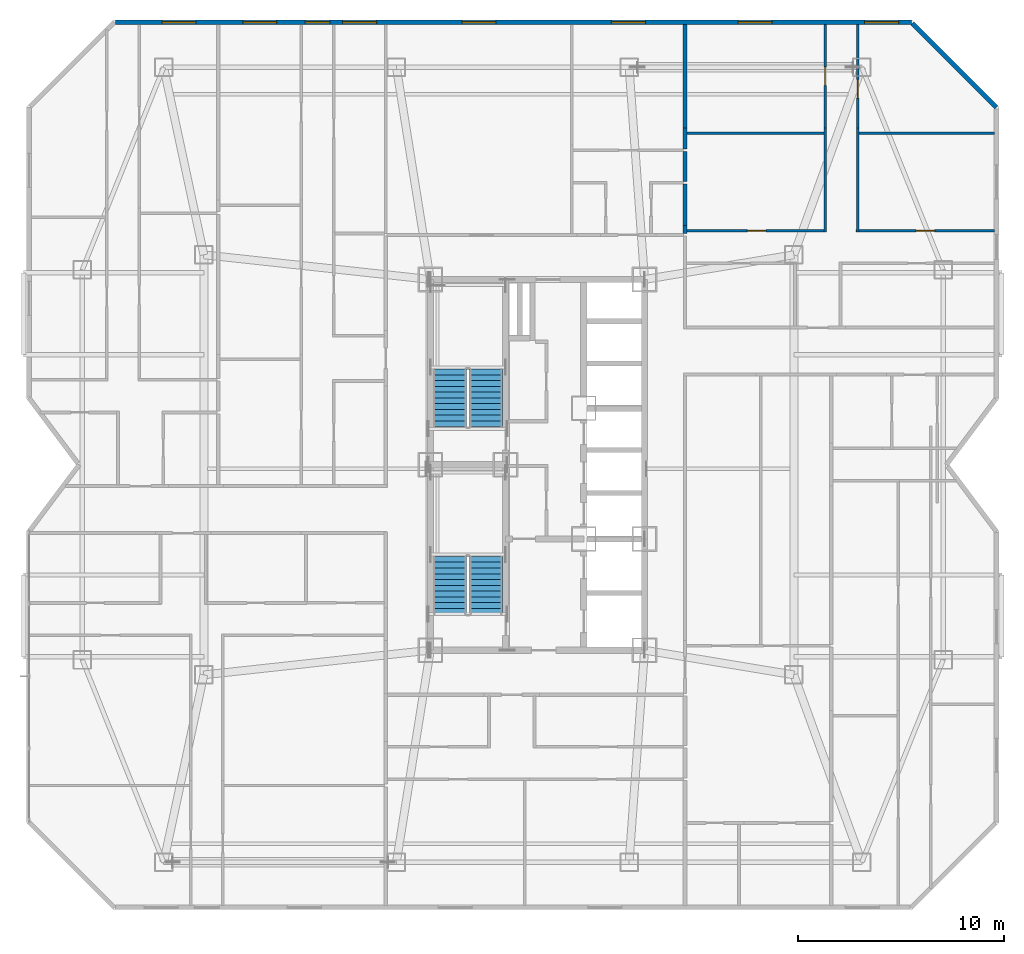
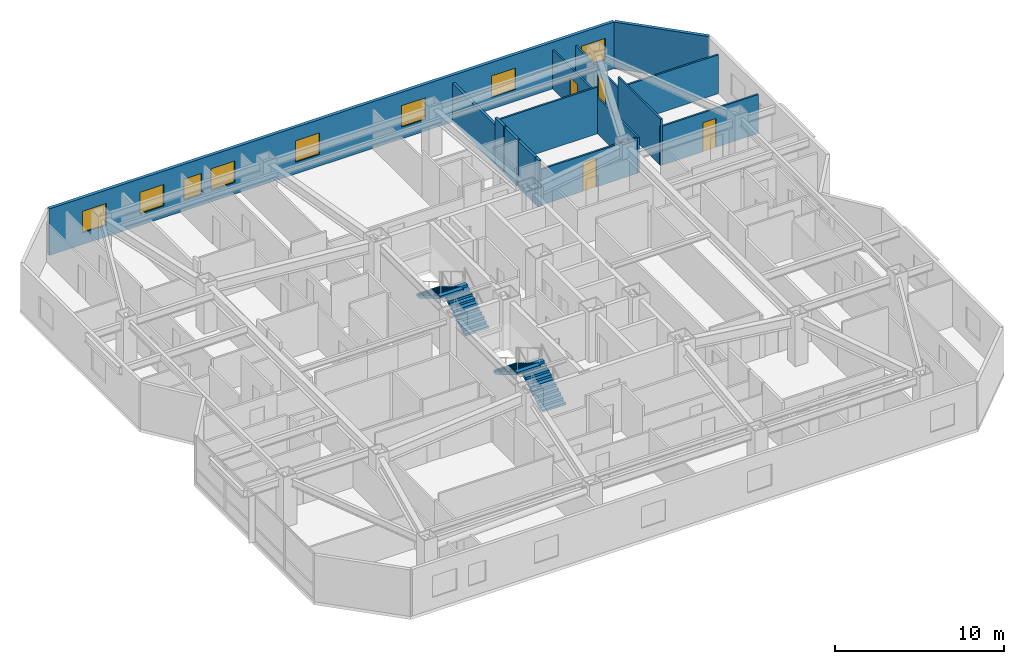
# One storey, part 16 of 17: 15 walls, 8 windows, 4 doors, 4 stair flights, 12 openings, 2 elements without a shape of their own.
"""IFC4 building model written with IfcOpenShell, lengths in metres."""

import ifcopenshell
import ifcopenshell.guid

model = None  # the IFC model being written
_history = None  # IfcOwnerHistory: only IFC2X3 demands one
_inside = {}  # id of a spatial element -> (the spatial element, [elements in it])
_under = {}  # id of a project, library or spatial element -> (it, [spatial elements below it])
_declared = {}  # id of a project -> (the project, [libraries it declares])
_typed = {}  # id of a type object -> (the type object, [elements of that type])
_made_of = {}  # id of a material, layer set ... -> (it, [elements and type objects made of it])


def new_model(schema):
    """Start an empty IFC model of exactly this schema.

    Asked for "IFC4X3", IfcOpenShell would pick the latest addendum, in which some entities
    have other attributes; the version numbers below select the first issue.
    IFC2X3 requires an IfcOwnerHistory on every rooted entity: one is made here for all.
    """
    global model, _history
    if schema == "IFC4X3":
        model = ifcopenshell.file(schema_version=(4, 3, 0, 0))
    else:
        model = ifcopenshell.file(schema=schema)
    _inside.clear()
    _under.clear()
    _declared.clear()
    _typed.clear()
    _made_of.clear()
    _history = None
    if model.schema == "IFC2X3":
        org = make("IfcOrganization", Name="unknown")
        user = make(
            "IfcPersonAndOrganization",
            ThePerson=make("IfcPerson", FamilyName="unknown"),
            TheOrganization=org,
        )
        app = make(
            "IfcApplication",
            ApplicationDeveloper=org,
            Version="unknown",
            ApplicationFullName="unknown",
            ApplicationIdentifier="unknown",
        )
        _history = make(
            "IfcOwnerHistory",
            OwningUser=user,
            OwningApplication=app,
            ChangeAction="ADDED",
            CreationDate=0,
        )
    return model


def make(cls, **values):
    """One entity of the class cls with the attributes given. An attribute that is None is left unset."""
    return model.create_entity(
        cls, **{name: value for name, value in values.items() if value is not None}
    )


def rooted(cls, **values):
    """An entity with a GlobalId (a new one), such as an element, a storey or a relation."""
    return make(cls, GlobalId=ifcopenshell.guid.new(), OwnerHistory=_history, **values)


def si_unit(unit_type, name, prefix=None):
    """IfcSIUnit, for example si_unit("LENGTHUNIT", "METRE", prefix="MILLI")."""
    return make("IfcSIUnit", UnitType=unit_type, Prefix=prefix, Name=name)


def assignment(units):
    """IfcUnitAssignment: the units of a project."""
    return None if units is None else make("IfcUnitAssignment", Units=units)


def point(xyz):
    """IfcCartesianPoint."""
    return None if xyz is None else make("IfcCartesianPoint", Coordinates=xyz)


def direction(xyz):
    """IfcDirection."""
    return None if xyz is None else make("IfcDirection", DirectionRatios=xyz)


def frame(location, z_axis=None, x_axis=None):
    """IfcAxis2Placement3D, a coordinate frame: its origin and axes. An axis left out is left unset."""
    return make(
        "IfcAxis2Placement3D",
        Location=point(location),
        Axis=direction(z_axis),
        RefDirection=direction(x_axis),
    )


def frame_2d(location, x_axis=None):
    """IfcAxis2Placement2D, a coordinate frame in the plane: its origin and x axis."""
    return make(
        "IfcAxis2Placement2D", Location=point(location), RefDirection=direction(x_axis)
    )


def origin():
    """The frame at (0, 0, 0) with its axes left unset."""
    return frame((0.0, 0.0, 0.0))


def place(relative_to, where):
    """IfcLocalPlacement: puts the frame where relative to a parent placement (None: the world)."""
    return make(
        "IfcLocalPlacement", PlacementRelTo=relative_to, RelativePlacement=where
    )


def context(
    kind, dimensions, precision=None, world=None, true_north=None, identifier=None
):
    """IfcGeometricRepresentationContext, for example the 3D "Model" context."""
    return make(
        "IfcGeometricRepresentationContext",
        ContextIdentifier=identifier,
        ContextType=kind,
        CoordinateSpaceDimension=dimensions,
        Precision=precision,
        WorldCoordinateSystem=world,
        TrueNorth=true_north,
    )


def subcontext(parent, identifier, kind, view, scale=None):
    """IfcGeometricRepresentationSubContext, for example "Body" below "Model"."""
    return make(
        "IfcGeometricRepresentationSubContext",
        ContextIdentifier=identifier,
        ContextType=kind,
        ParentContext=parent,
        TargetScale=scale,
        TargetView=view,
    )


def project(units=None, contexts=None):
    """IfcProject with its units and contexts."""
    return rooted(
        "IfcProject",
        Name="project",
        RepresentationContexts=contexts,
        UnitsInContext=assignment(units),
    )


def spatial(cls, under=None, at=None, **own):
    """A site, building, storey or space (cls), placed at a placement, below another one or the project."""
    s = rooted(cls, ObjectPlacement=at, **own)
    if under is not None:
        _under.setdefault(under.id(), (under, []))[1].append(s)
    return s


def polyline(points):
    """IfcPolyline through the points."""
    return make("IfcPolyline", Points=[point(p) for p in points])


def profile(cls, at=None, kind="AREA", **sizes):
    """A parametric profile (cls). Its sizes go by their IFC names, for example OverallWidth=200.0."""
    return make(cls, ProfileType=kind, Position=at, **sizes)


def rectangle(**sizes):
    """IfcRectangleProfileDef."""
    return profile("IfcRectangleProfileDef", **sizes)


def outline(outer, holes=None, kind="AREA"):
    """IfcArbitraryClosedProfileDef: a profile drawn as a closed curve; with holes, ...WithVoids."""
    if holes is None:
        return make("IfcArbitraryClosedProfileDef", ProfileType=kind, OuterCurve=outer)
    return make(
        "IfcArbitraryProfileDefWithVoids",
        ProfileType=kind,
        OuterCurve=outer,
        InnerCurves=holes,
    )


def extrude(swept, where, along, depth):
    """IfcExtrudedAreaSolid: the profile swept, set in the frame where, extruded along a direction by depth."""
    return make(
        "IfcExtrudedAreaSolid",
        SweptArea=swept,
        Position=where,
        ExtrudedDirection=direction(along),
        Depth=depth,
    )


def shape(context_of_items, identifier, shape_type, items):
    """IfcShapeRepresentation: the items that make up one representation, for example the "Body"."""
    return make(
        "IfcShapeRepresentation",
        ContextOfItems=context_of_items,
        RepresentationIdentifier=identifier,
        RepresentationType=shape_type,
        Items=items,
    )


def material(Name=None, Category=None):
    """IfcMaterial."""
    return make("IfcMaterial", Name=Name, Category=Category)


def layer(
    of_material, thickness, ventilated=None, Name=None, Category=None, Priority=None
):
    """IfcMaterialLayer: one layer of a wall or slab, of a material (None: an air gap)."""
    return make(
        "IfcMaterialLayer",
        Material=of_material,
        LayerThickness=thickness,
        IsVentilated=ventilated,
        Name=Name,
        Category=Category,
        Priority=Priority,
    )


def layer_set(layers, Name=None):
    """IfcMaterialLayerSet."""
    return make("IfcMaterialLayerSet", MaterialLayers=layers, LayerSetName=Name)


def made_of(thing, what):
    """Note that an element or type object is made of a material, layer set ...; save() writes the relation."""
    if what is not None:
        _made_of.setdefault(what.id(), (what, []))[1].append(thing)
    return thing


def type_object(cls, material=None, **own):
    """A type object (cls), such as IfcWallType, which elements share."""
    return made_of(rooted(cls, **own), material)


def element(
    cls,
    number,
    at=None,
    inside=None,
    cuts=None,
    type_object=None,
    material=None,
    context=None,
    identifier="Body",
    shape_type=None,
    held_by="IfcProductDefinitionShape",
    body=None,
    shapes=None,
    **own,
):
    """One element of the class cls, such as IfcWall. Its Tag is "e" and its number.

    at: its placement. inside: the storey or other place that contains it. cuts: it is an
    opening in that element (IfcRelVoidsElement). A single representation is given by context,
    identifier, shape_type and body (its items); several are given by shapes. held_by: the class
    of the entity that holds the representations. save() writes the other relations.
    """
    e = rooted(cls, Tag="e%d" % number, ObjectPlacement=at, **own)
    if body is not None:
        shapes = [shape(context, identifier, shape_type, body)]
    if shapes is not None:
        e.Representation = make(held_by, Representations=shapes)
    if inside is not None:
        _inside.setdefault(inside.id(), (inside, []))[1].append(e)
    if cuts is not None:
        rooted(
            "IfcRelVoidsElement", RelatingBuildingElement=cuts, RelatedOpeningElement=e
        )
    if type_object is not None:
        _typed.setdefault(type_object.id(), (type_object, []))[1].append(e)
    return made_of(e, material)


def fill(opening, filler):
    """IfcRelFillsElement: the door or window that sits in an opening."""
    return rooted(
        "IfcRelFillsElement",
        RelatingOpeningElement=opening,
        RelatedBuildingElement=filler,
    )


def aggregate(whole, parts):
    """IfcRelAggregates: a whole, such as a stair, and the parts it consists of."""
    return rooted("IfcRelAggregates", RelatingObject=whole, RelatedObjects=parts)


def save(model, path):
    """Write the relations noted so far, then the file.

    IfcRelAggregates (storeys below a building ...), IfcRelContainedInSpatialStructure (elements
    in a storey), IfcRelDefinesByType, IfcRelAssociatesMaterial and IfcRelDeclares: one each for
    every whole, place, type object, material and project.
    """
    for whole, parts in _under.values():
        aggregate(whole, parts)
    for where, things in _inside.values():
        rooted(
            "IfcRelContainedInSpatialStructure",
            RelatedElements=things,
            RelatingStructure=where,
        )
    for kind, things in _typed.values():
        rooted("IfcRelDefinesByType", RelatedObjects=things, RelatingType=kind)
    for what, things in _made_of.values():
        rooted("IfcRelAssociatesMaterial", RelatedObjects=things, RelatingMaterial=what)
    for by, libraries in _declared.values():
        rooted("IfcRelDeclares", RelatingContext=by, RelatedDefinitions=libraries)
    model.write(path)


model = new_model("IFC4")

# Units and contexts
model_context = context("Model", 3, precision=1e-05, world=origin(), true_north=direction((0.0, 1.0)))
body_context = subcontext(model_context, "Body", "Model", "MODEL_VIEW")
ifc_project = project(units=[si_unit("LENGTHUNIT", "METRE"), si_unit("AREAUNIT", "SQUARE_METRE"), si_unit("VOLUMEUNIT", "CUBIC_METRE"), si_unit("PLANEANGLEUNIT", "RADIAN"), si_unit("MASSUNIT", "GRAM", prefix="KILO")], contexts=[model_context])

# Site, building, storey
site_placement = place(None, origin())
site = spatial("IfcSite", under=ifc_project, at=site_placement, CompositionType="ELEMENT")
building_placement = place(site_placement, origin())
building = spatial("IfcBuilding", under=site, at=building_placement, Name="Khamvora Tower", CompositionType="ELEMENT")
storey_placement = place(building_placement, frame((0.0, 0.0, 142.050048828125)))
storey = spatial("IfcBuildingStorey", under=building, at=storey_placement, Name="L36", CompositionType="ELEMENT", Elevation=142.050048828125)

# Walls
ifc_material_1 = material(Name="Acoustic Double-Stud Fire Wall", Category="gypsum")
ifc_layer_1 = layer(ifc_material_1, 0.179931640625)
ifc_layer_set_1 = layer_set([ifc_layer_1], Name="Acoustic Double-Stud Fire Wall")
wall_type_1 = type_object("IfcWallType", Name="WAL-CORR-180", PredefinedType="STANDARD", material=ifc_layer_set_1)
wall_1_placement = place(storey_placement, frame((41.364990234375, 43.2099609375, 0.0), z_axis=(0.0, 0.0, 1.0), x_axis=(0.0, -1.0, 0.0)))
element("IfcWall", 1, at=wall_1_placement, inside=storey, type_object=wall_type_1, Name="L36 interior partition wall 106", PredefinedType="STANDARD", context=body_context, shape_type="SweptSolid", body=[
    extrude(rectangle(XDim=1.449951171875, YDim=0.179931640625, at=frame_2d((0.72509765625, 0.0))), origin(), (0.0, 0.0, 1.0), 3.369873046875),
])
wall_2_placement = place(storey_placement, frame((41.364990234375, 39.62109375, 0.0), z_axis=(0.0, 0.0, 1.0), x_axis=(0.0, -1.0, 0.0)))
element("IfcWall", 2, at=wall_2_placement, inside=storey, type_object=wall_type_1, Name="L36 interior partition wall 107", PredefinedType="STANDARD", context=body_context, shape_type="SweptSolid", body=[
    extrude(rectangle(XDim=0.39111328125, YDim=0.179931640625, at=frame_2d((0.195556640625, 0.0))), origin(), (0.0, 0.0, 1.0), 3.369873046875),
])
wall_3_placement = place(storey_placement, frame((41.364990234375, 41.6298828125, 0.0), z_axis=(0.0, 0.0, 1.0), x_axis=(0.0, -1.0, 0.0)))
element("IfcWall", 3, at=wall_3_placement, inside=storey, type_object=wall_type_1, Name="L36 interior partition wall 108", PredefinedType="STANDARD", context=body_context, shape_type="SweptSolid", body=[
    extrude(rectangle(XDim=2.0087890625, YDim=0.179931640625, at=frame_2d((1.00439453125, 0.0))), origin(), (0.0, 0.0, 1.0), 3.369873046875),
])
wall_4_placement = place(storey_placement, frame((41.364990234375, 44.35595703125, 0.0), z_axis=(0.0, 0.0, 1.0), x_axis=(0.0, -1.0, 0.0)))
element("IfcWall", 4, at=wall_4_placement, inside=storey, type_object=wall_type_1, Name="L36 interior partition wall 109", PredefinedType="STANDARD", context=body_context, shape_type="SweptSolid", body=[
    extrude(rectangle(XDim=1.015869140625, YDim=0.179931640625, at=frame_2d((0.5078125, 0.0))), origin(), (0.0, 0.0, 1.0), 3.369873046875),
])
wall_5_placement = place(storey_placement, frame((41.364990234375, 49.387939453125, 0.0), z_axis=(0.0, 0.0, 1.0), x_axis=(0.0, -1.0, 0.0)))
element("IfcWall", 5, at=wall_5_placement, inside=storey, type_object=wall_type_1, Name="L36 interior partition wall 110", PredefinedType="STANDARD", context=body_context, shape_type="SweptSolid", body=[
    extrude(rectangle(XDim=5.031982421875, YDim=0.179931640625, at=frame_2d((2.51611328125, 0.0))), origin(), (0.0, 0.0, 1.0), 2.81591796875),
])

# Wall, openings, windows
ifc_material_2 = material(Name="Precast concrete C40/50", Category="concrete")
ifc_layer_2 = layer(ifc_material_2, 0.219970703125)
ifc_layer_set_2 = layer_set([ifc_layer_2], Name="Precast concrete C40/50")
wall_type_2 = type_object("IfcWallType", Name="WAL-EXT-220", PredefinedType="STANDARD", material=ifc_layer_set_2)
wall_6_placement = place(storey_placement, frame((13.715087890625, 49.489990234375, 0.0), z_axis=(0.0, 0.0, 1.0), x_axis=(1.0, 0.0, 0.0)))
wall_6 = element("IfcWall", 6, at=wall_6_placement, inside=storey, type_object=wall_type_2, Name="L36 exterior facade wall 07.1", PredefinedType="STANDARD", context=body_context, shape_type="SweptSolid", body=[
    extrude(rectangle(XDim=38.638916015625, YDim=0.219970703125, at=frame_2d((19.3193359375, 0.0))), origin(), (0.0, 0.0, 1.0), 3.369873046875),
])
opening_1_placement = place(wall_6_placement, frame((16.81005859375, 0.0, 0.85009765625)))
opening_1 = element("IfcOpeningElement", 7, at=opening_1_placement, cuts=wall_6, Name="Opening WN-06", PredefinedType="OPENING", context=body_context, shape_type="SweptSolid", body=[
    extrude(rectangle(XDim=1.64990234375, YDim=1.550048828125, at=frame_2d((0.824951171875, 0.77490234375))), frame((0.0, 0.119873046875, 0.0), z_axis=(0.0, -1.0, 0.0), x_axis=(1.0, 0.0, 0.0)), (0.0, 0.0, 1.0), 0.239990234375),
])
opening_2_placement = place(wall_6_placement, frame((2.242919921875, 0.0, 0.85009765625)))
opening_2 = element("IfcOpeningElement", 8, at=opening_2_placement, cuts=wall_6, Name="Opening WN-06", PredefinedType="OPENING", context=body_context, shape_type="SweptSolid", body=[
    extrude(rectangle(XDim=1.64990234375, YDim=1.550048828125, at=frame_2d((0.824951171875, 0.77490234375))), frame((0.0, 0.119873046875, 0.0), z_axis=(0.0, -1.0, 0.0), x_axis=(1.0, 0.0, 0.0)), (0.0, 0.0, 1.0), 0.239990234375),
])
opening_3_placement = place(wall_6_placement, frame((11.030029296875, 0.0, 0.85009765625)))
opening_3 = element("IfcOpeningElement", 9, at=opening_3_placement, cuts=wall_6, Name="Opening WN-06", PredefinedType="OPENING", context=body_context, shape_type="SweptSolid", body=[
    extrude(rectangle(XDim=1.64990234375, YDim=1.550048828125, at=frame_2d((0.824951171875, 0.77490234375))), frame((0.0, 0.119873046875, 0.0), z_axis=(0.0, -1.0, 0.0), x_axis=(1.0, 0.0, 0.0)), (0.0, 0.0, 1.0), 0.239990234375),
])
opening_4_placement = place(wall_6_placement, frame((9.199951171875, 0.0, 0.800048828125)))
opening_4 = element("IfcOpeningElement", 10, at=opening_4_placement, cuts=wall_6, Name="Opening WN-03", PredefinedType="OPENING", context=body_context, shape_type="SweptSolid", body=[
    extrude(rectangle(XDim=1.199951171875, YDim=1.5, at=frame_2d((0.60009765625, 0.75))), frame((0.0, 0.119873046875, 0.0), z_axis=(0.0, -1.0, 0.0), x_axis=(1.0, 0.0, 0.0)), (0.0, 0.0, 1.0), 0.239990234375),
])
opening_5_placement = place(wall_6_placement, frame((6.175048828125, 0.0, 0.85009765625)))
opening_5 = element("IfcOpeningElement", 11, at=opening_5_placement, cuts=wall_6, Name="Opening WN-06", PredefinedType="OPENING", context=body_context, shape_type="SweptSolid", body=[
    extrude(rectangle(XDim=1.64990234375, YDim=1.550048828125, at=frame_2d((0.824951171875, 0.77490234375))), frame((0.0, 0.119873046875, 0.0), z_axis=(0.0, -1.0, 0.0), x_axis=(1.0, 0.0, 0.0)), (0.0, 0.0, 1.0), 0.239990234375),
])
opening_6_placement = place(wall_6_placement, frame((24.074951171875, 0.0, 0.85009765625)))
opening_6 = element("IfcOpeningElement", 12, at=opening_6_placement, cuts=wall_6, Name="Opening WN-06", PredefinedType="OPENING", context=body_context, shape_type="SweptSolid", body=[
    extrude(rectangle(XDim=1.64990234375, YDim=1.550048828125, at=frame_2d((0.824951171875, 0.77490234375))), frame((0.0, 0.119873046875, 0.0), z_axis=(0.0, -1.0, 0.0), x_axis=(1.0, 0.0, 0.0)), (0.0, 0.0, 1.0), 0.239990234375),
])
opening_7_placement = place(wall_6_placement, frame((30.22998046875, 0.0, 0.85009765625)))
opening_7 = element("IfcOpeningElement", 13, at=opening_7_placement, cuts=wall_6, Name="Opening WN-06", PredefinedType="OPENING", context=body_context, shape_type="SweptSolid", body=[
    extrude(rectangle(XDim=1.64990234375, YDim=1.550048828125, at=frame_2d((0.824951171875, 0.77490234375))), frame((0.0, 0.119873046875, 0.0), z_axis=(0.0, -1.0, 0.0), x_axis=(1.0, 0.0, 0.0)), (0.0, 0.0, 1.0), 0.239990234375),
])
opening_8_placement = place(wall_6_placement, frame((36.366943359375, 0.0, 0.85009765625)))
opening_8 = element("IfcOpeningElement", 14, at=opening_8_placement, cuts=wall_6, Name="Opening WN-06", PredefinedType="OPENING", context=body_context, shape_type="SweptSolid", body=[
    extrude(rectangle(XDim=1.64990234375, YDim=1.550048828125, at=frame_2d((0.824951171875, 0.77490234375))), frame((0.0, 0.119873046875, 0.0), z_axis=(0.0, -1.0, 0.0), x_axis=(1.0, 0.0, 0.0)), (0.0, 0.0, 1.0), 0.239990234375),
])
ifc_material_3 = material(Name="Low-E Laminated Double Glazing", Category="glass")
window_type_1 = type_object("IfcWindowType", Name="WIN-VIS-1200x1500", PartitioningType="SINGLE_PANEL", PredefinedType="WINDOW", material=ifc_material_3)
window_1_placement = place(opening_4_placement, origin())
window_1 = element("IfcWindow", 15, at=window_1_placement, inside=storey, type_object=window_type_1, Name="L36 vision window 07.1.04", OverallHeight=1.5, OverallWidth=1.199951171875, PartitioningType="SINGLE_PANEL", PredefinedType="WINDOW", context=body_context, shape_type="SweptSolid", body=[
    extrude(rectangle(XDim=1.199951171875, YDim=1.5, at=frame_2d((0.60009765625, 0.75))), frame((0.0, 0.030029296875, 0.0), z_axis=(0.0, -1.0, 0.0), x_axis=(1.0, 0.0, 0.0)), (0.0, 0.0, 1.0), 0.06005859375),
])
fill(opening_4, window_1)
window_type_2 = type_object("IfcWindowType", Name="WIN-VIS-1650x1550", PartitioningType="SINGLE_PANEL", PredefinedType="WINDOW", material=ifc_material_3)
window_2_placement = place(opening_1_placement, origin())
window_2 = element("IfcWindow", 16, at=window_2_placement, inside=storey, type_object=window_type_2, Name="L36 vision window 07.1.01", OverallHeight=1.550048828125, OverallWidth=1.64990234375, PartitioningType="SINGLE_PANEL", PredefinedType="WINDOW", context=body_context, shape_type="SweptSolid", body=[
    extrude(rectangle(XDim=1.64990234375, YDim=1.550048828125, at=frame_2d((0.824951171875, 0.77490234375))), frame((0.0, 0.030029296875, 0.0), z_axis=(0.0, -1.0, 0.0), x_axis=(1.0, 0.0, 0.0)), (0.0, 0.0, 1.0), 0.06005859375),
])
fill(opening_1, window_2)
window_3_placement = place(opening_2_placement, origin())
window_3 = element("IfcWindow", 17, at=window_3_placement, inside=storey, type_object=window_type_2, Name="L36 vision window 07.1.02", OverallHeight=1.550048828125, OverallWidth=1.64990234375, PartitioningType="SINGLE_PANEL", PredefinedType="WINDOW", context=body_context, shape_type="SweptSolid", body=[
    extrude(rectangle(XDim=1.64990234375, YDim=1.550048828125, at=frame_2d((0.824951171875, 0.77490234375))), frame((0.0, 0.030029296875, 0.0), z_axis=(0.0, -1.0, 0.0), x_axis=(1.0, 0.0, 0.0)), (0.0, 0.0, 1.0), 0.06005859375),
])
fill(opening_2, window_3)
window_4_placement = place(opening_3_placement, origin())
window_4 = element("IfcWindow", 18, at=window_4_placement, inside=storey, type_object=window_type_2, Name="L36 vision window 07.1.03", OverallHeight=1.550048828125, OverallWidth=1.64990234375, PartitioningType="SINGLE_PANEL", PredefinedType="WINDOW", context=body_context, shape_type="SweptSolid", body=[
    extrude(rectangle(XDim=1.64990234375, YDim=1.550048828125, at=frame_2d((0.824951171875, 0.77490234375))), frame((0.0, 0.030029296875, 0.0), z_axis=(0.0, -1.0, 0.0), x_axis=(1.0, 0.0, 0.0)), (0.0, 0.0, 1.0), 0.06005859375),
])
fill(opening_3, window_4)
window_5_placement = place(opening_5_placement, origin())
window_5 = element("IfcWindow", 19, at=window_5_placement, inside=storey, type_object=window_type_2, Name="L36 vision window 07.1.05", OverallHeight=1.550048828125, OverallWidth=1.64990234375, PartitioningType="SINGLE_PANEL", PredefinedType="WINDOW", context=body_context, shape_type="SweptSolid", body=[
    extrude(rectangle(XDim=1.64990234375, YDim=1.550048828125, at=frame_2d((0.824951171875, 0.77490234375))), frame((0.0, 0.030029296875, 0.0), z_axis=(0.0, -1.0, 0.0), x_axis=(1.0, 0.0, 0.0)), (0.0, 0.0, 1.0), 0.06005859375),
])
fill(opening_5, window_5)
window_6_placement = place(opening_6_placement, origin())
window_6 = element("IfcWindow", 20, at=window_6_placement, inside=storey, type_object=window_type_2, Name="L36 vision window 07.1.06", OverallHeight=1.550048828125, OverallWidth=1.64990234375, PartitioningType="SINGLE_PANEL", PredefinedType="WINDOW", context=body_context, shape_type="SweptSolid", body=[
    extrude(rectangle(XDim=1.64990234375, YDim=1.550048828125, at=frame_2d((0.824951171875, 0.77490234375))), frame((0.0, 0.030029296875, 0.0), z_axis=(0.0, -1.0, 0.0), x_axis=(1.0, 0.0, 0.0)), (0.0, 0.0, 1.0), 0.06005859375),
])
fill(opening_6, window_6)
window_7_placement = place(opening_7_placement, origin())
window_7 = element("IfcWindow", 21, at=window_7_placement, inside=storey, type_object=window_type_2, Name="L36 vision window 07.1.07", OverallHeight=1.550048828125, OverallWidth=1.64990234375, PartitioningType="SINGLE_PANEL", PredefinedType="WINDOW", context=body_context, shape_type="SweptSolid", body=[
    extrude(rectangle(XDim=1.64990234375, YDim=1.550048828125, at=frame_2d((0.824951171875, 0.77490234375))), frame((0.0, 0.030029296875, 0.0), z_axis=(0.0, -1.0, 0.0), x_axis=(1.0, 0.0, 0.0)), (0.0, 0.0, 1.0), 0.06005859375),
])
fill(opening_7, window_7)
window_8_placement = place(opening_8_placement, origin())
window_8 = element("IfcWindow", 22, at=window_8_placement, inside=storey, type_object=window_type_2, Name="L36 vision window 07.1.08", OverallHeight=1.550048828125, OverallWidth=1.64990234375, PartitioningType="SINGLE_PANEL", PredefinedType="WINDOW", context=body_context, shape_type="SweptSolid", body=[
    extrude(rectangle(XDim=1.64990234375, YDim=1.550048828125, at=frame_2d((0.824951171875, 0.77490234375))), frame((0.0, 0.030029296875, 0.0), z_axis=(0.0, -1.0, 0.0), x_axis=(1.0, 0.0, 0.0)), (0.0, 0.0, 1.0), 0.06005859375),
])
fill(opening_8, window_8)

# Wall
wall_7_placement = place(storey_placement, frame((52.402099609375, 49.44189453125, 0.0), z_axis=(0.0, 0.0, 1.0), x_axis=(0.707106781187, -0.707106781187, 0.0)))
element("IfcWall", 23, at=wall_7_placement, inside=storey, type_object=wall_type_2, Name="L36 exterior facade wall 08.1", PredefinedType="STANDARD", context=body_context, shape_type="SweptSolid", body=[
    extrude(rectangle(XDim=5.78125, YDim=0.219970703125, at=frame_2d((2.890625, 0.0))), origin(), (0.0, 0.0, 1.0), 3.369873046875),
])

# Wall, opening, door
ifc_material_4 = material(Name="Gypsum Plasterboard Partition", Category="gypsum")
ifc_layer_3 = layer(ifc_material_4, 0.1201171875)
ifc_layer_set_3 = layer_set([ifc_layer_3], Name="Gypsum Plasterboard Partition")
wall_type_3 = type_object("IfcWallType", Name="WAL-PART-120", PredefinedType="PARTITIONING", material=ifc_layer_set_3)
wall_8_placement = place(storey_placement, frame((41.447021484375, 39.3720703125, 0.0), z_axis=(0.0, 0.0, 1.0), x_axis=(1.0, 0.0, 0.0)))
wall_8 = element("IfcWall", 24, at=wall_8_placement, inside=storey, type_object=wall_type_3, Name="L36 interior partition wall 139", PredefinedType="PARTITIONING", context=body_context, shape_type="SweptSolid", body=[
    extrude(rectangle(XDim=6.79296875, YDim=0.1201171875, at=frame_2d((3.396484375, 0.0))), origin(), (0.0, 0.0, 1.0), 2.5869140625),
])
opening_9_placement = place(wall_8_placement, frame((2.946044921875, 0.0, 0.0)))
opening_9 = element("IfcOpeningElement", 25, at=opening_9_placement, cuts=wall_8, Name="Opening D-RM1", PredefinedType="OPENING", context=body_context, shape_type="SweptSolid", body=[
    extrude(rectangle(XDim=0.89990234375, YDim=2.10009765625, at=frame_2d((0.449951171875, 1.050048828125))), frame((0.0, 0.070068359375, 0.0), z_axis=(0.0, -1.0, 0.0), x_axis=(1.0, 0.0, 0.0)), (0.0, 0.0, 1.0), 0.14013671875),
])
ifc_material_5 = material(Name="Powder-Coated Steel and Hardwood Leaf", Category="steel")
door_type = type_object("IfcDoorType", Name="DOR-ROOM-900", OperationType="NOTDEFINED", PredefinedType="DOOR", material=ifc_material_5)
door_1_placement = place(opening_9_placement, origin())
door_1 = element("IfcDoor", 26, at=door_1_placement, inside=storey, type_object=door_type, Name="L36 interior door 36ECH-36ECL", OperationType="SINGLE_SWING_LEFT", OverallHeight=2.10009765625, OverallWidth=0.89990234375, PredefinedType="DOOR", context=body_context, shape_type="SweptSolid", body=[
    extrude(rectangle(XDim=0.89990234375, YDim=2.10009765625, at=frame_2d((0.449951171875, 1.050048828125))), frame((0.0, 0.02490234375, 0.0), z_axis=(0.0, -1.0, 0.0), x_axis=(1.0, 0.0, 0.0)), (0.0, 0.0, 1.0), 0.050048828125),
])
fill(opening_9, door_1)

# Wall
wall_9_placement = place(storey_placement, frame((48.175048828125, 39.306884765625, 0.0), z_axis=(0.0, 0.0, 1.0), x_axis=(0.0, 1.0, 0.0)))
element("IfcWall", 27, at=wall_9_placement, inside=storey, type_object=wall_type_3, Name="L36 interior partition wall 140", PredefinedType="PARTITIONING", context=body_context, shape_type="SweptSolid", body=[
    extrude(rectangle(XDim=5.049072265625, YDim=0.1201171875, at=frame_2d((2.5244140625, 0.0))), origin(), (0.0, 0.0, 1.0), 2.5869140625),
])

# Wall, opening, door
wall_10_placement = place(storey_placement, frame((48.175048828125, 44.35595703125, 0.0), z_axis=(0.0, 0.0, 1.0), x_axis=(0.0, 1.0, 0.0)))
wall_10 = element("IfcWall", 28, at=wall_10_placement, inside=storey, type_object=wall_type_3, Name="L36 interior partition wall 141", PredefinedType="PARTITIONING", context=body_context, shape_type="SweptSolid", body=[
    extrude(rectangle(XDim=5.031982421875, YDim=0.1201171875, at=frame_2d((2.51611328125, 0.0))), origin(), (0.0, 0.0, 1.0), 2.81591796875),
])
opening_10_placement = place(wall_10_placement, frame((2.06591796875, 0.0, 0.0)))
opening_10 = element("IfcOpeningElement", 29, at=opening_10_placement, cuts=wall_10, Name="Opening D-RM1", PredefinedType="OPENING", context=body_context, shape_type="SweptSolid", body=[
    extrude(rectangle(XDim=0.89990234375, YDim=2.10009765625, at=frame_2d((0.449951171875, 1.050048828125))), frame((0.0, 0.070068359375, 0.0), z_axis=(0.0, -1.0, 0.0), x_axis=(1.0, 0.0, 0.0)), (0.0, 0.0, 1.0), 0.14013671875),
])
door_2_placement = place(opening_10_placement, origin())
door_2 = element("IfcDoor", 30, at=door_2_placement, inside=storey, type_object=door_type, Name="L36 interior door 36ECH-36ECR2", OperationType="SINGLE_SWING_RIGHT", OverallHeight=2.10009765625, OverallWidth=0.89990234375, PredefinedType="DOOR", context=body_context, shape_type="SweptSolid", body=[
    extrude(rectangle(XDim=0.89990234375, YDim=2.10009765625, at=frame_2d((0.449951171875, 1.050048828125))), frame((0.0, 0.02490234375, 0.0), z_axis=(0.0, -1.0, 0.0), x_axis=(1.0, 0.0, 0.0)), (0.0, 0.0, 1.0), 0.050048828125),
])
fill(opening_10, door_2)

# Wall
wall_11_placement = place(storey_placement, frame((49.7451171875, 44.35595703125, 0.0), z_axis=(0.0, 0.0, 1.0), x_axis=(0.0, -1.0, 0.0)))
element("IfcWall", 31, at=wall_11_placement, inside=storey, type_object=wall_type_3, Name="L36 interior partition wall 142", PredefinedType="PARTITIONING", context=body_context, shape_type="SweptSolid", body=[
    extrude(rectangle(XDim=5.049072265625, YDim=0.1201171875, at=frame_2d((2.5244140625, 0.0))), origin(), (0.0, 0.0, 1.0), 3.369873046875),
])

# Wall, opening, door
wall_12_placement = place(storey_placement, frame((49.679931640625, 39.3720703125, 0.0), z_axis=(0.0, 0.0, 1.0), x_axis=(1.0, 0.0, 0.0)))
wall_12 = element("IfcWall", 32, at=wall_12_placement, inside=storey, type_object=wall_type_3, Name="L36 interior partition wall 143", PredefinedType="PARTITIONING", context=body_context, shape_type="SweptSolid", body=[
    extrude(rectangle(XDim=6.7080078125, YDim=0.1201171875, at=frame_2d((3.35400390625, 0.0))), origin(), (0.0, 0.0, 1.0), 2.81591796875),
])
opening_11_placement = place(wall_12_placement, frame((2.904052734375, 0.0, 0.0)))
opening_11 = element("IfcOpeningElement", 33, at=opening_11_placement, cuts=wall_12, Name="Opening D-RM1", PredefinedType="OPENING", context=body_context, shape_type="SweptSolid", body=[
    extrude(rectangle(XDim=0.89990234375, YDim=2.10009765625, at=frame_2d((0.449951171875, 1.050048828125))), frame((0.0, 0.070068359375, 0.0), z_axis=(0.0, -1.0, 0.0), x_axis=(1.0, 0.0, 0.0)), (0.0, 0.0, 1.0), 0.14013671875),
])
door_3_placement = place(opening_11_placement, origin())
door_3 = element("IfcDoor", 34, at=door_3_placement, inside=storey, type_object=door_type, Name="L36 interior door 36ECH-36ECR3", OperationType="SINGLE_SWING_LEFT", OverallHeight=2.10009765625, OverallWidth=0.89990234375, PredefinedType="DOOR", context=body_context, shape_type="SweptSolid", body=[
    extrude(rectangle(XDim=0.89990234375, YDim=2.10009765625, at=frame_2d((0.449951171875, 1.050048828125))), frame((0.0, 0.02490234375, 0.0), z_axis=(0.0, -1.0, 0.0), x_axis=(1.0, 0.0, 0.0)), (0.0, 0.0, 1.0), 0.050048828125),
])
fill(opening_11, door_3)

wall_13_placement = place(storey_placement, frame((49.7451171875, 49.387939453125, 0.0), z_axis=(0.0, 0.0, 1.0), x_axis=(0.0, -1.0, 0.0)))
wall_13 = element("IfcWall", 35, at=wall_13_placement, inside=storey, type_object=wall_type_3, Name="L36 interior partition wall 144", PredefinedType="PARTITIONING", context=body_context, shape_type="SweptSolid", body=[
    extrude(rectangle(XDim=5.031982421875, YDim=0.1201171875, at=frame_2d((2.51611328125, 0.0))), origin(), (0.0, 0.0, 1.0), 2.5869140625),
])
opening_12_placement = place(wall_13_placement, frame((2.680908203125, 0.0, 0.0)))
opening_12 = element("IfcOpeningElement", 36, at=opening_12_placement, cuts=wall_13, Name="Opening D-RM1", PredefinedType="OPENING", context=body_context, shape_type="SweptSolid", body=[
    extrude(rectangle(XDim=0.89990234375, YDim=2.10009765625, at=frame_2d((0.449951171875, 1.050048828125))), frame((0.0, 0.070068359375, 0.0), z_axis=(0.0, -1.0, 0.0), x_axis=(1.0, 0.0, 0.0)), (0.0, 0.0, 1.0), 0.14013671875),
])
door_4_placement = place(opening_12_placement, origin())
door_4 = element("IfcDoor", 37, at=door_4_placement, inside=storey, type_object=door_type, Name="L36 interior door 36ECH-36ECR4", OperationType="SINGLE_SWING_RIGHT", OverallHeight=2.10009765625, OverallWidth=0.89990234375, PredefinedType="DOOR", context=body_context, shape_type="SweptSolid", body=[
    extrude(rectangle(XDim=0.89990234375, YDim=2.10009765625, at=frame_2d((0.449951171875, 1.050048828125))), frame((0.0, 0.02490234375, 0.0), z_axis=(0.0, -1.0, 0.0), x_axis=(1.0, 0.0, 0.0)), (0.0, 0.0, 1.0), 0.050048828125),
])
fill(opening_12, door_4)

# Walls
wall_14_placement = place(storey_placement, frame((41.447021484375, 44.10693359375, 0.0), z_axis=(0.0, 0.0, 1.0), x_axis=(1.0, 0.0, 0.0)))
element("IfcWall", 38, at=wall_14_placement, inside=storey, type_object=wall_type_3, Name="L36 interior partition wall 145", PredefinedType="PARTITIONING", context=body_context, shape_type="SweptSolid", body=[
    extrude(rectangle(XDim=6.674072265625, YDim=0.1201171875, at=frame_2d((3.3369140625, 0.0))), origin(), (0.0, 0.0, 1.0), 3.369873046875),
])
wall_15_placement = place(storey_placement, frame((49.799072265625, 44.10693359375, 0.0), z_axis=(0.0, 0.0, 1.0), x_axis=(1.0, 0.0, 0.0)))
element("IfcWall", 39, at=wall_15_placement, inside=storey, type_object=wall_type_3, Name="L36 interior partition wall 146", PredefinedType="PARTITIONING", context=body_context, shape_type="SweptSolid", body=[
    extrude(rectangle(XDim=6.5888671875, YDim=0.1201171875, at=frame_2d((3.29443359375, 0.0))), origin(), (0.0, 0.0, 1.0), 2.81591796875),
])

# Stair, stair flights
ifc_material_6 = material(Name="Concrete C40/50", Category="concrete")
stair_type_1 = type_object("IfcStairType", Name="STR-ST-01", PredefinedType="HALF_TURN_STAIR", material=ifc_material_6)
stair_1_placement = place(storey_placement, origin())
stair_1 = element("IfcStair", 40, at=stair_1_placement, inside=storey, type_object=stair_type_1, Name="L36 South Tower Exit Stair ST-01", PredefinedType="HALF_TURN_STAIR")
stair_flight_type_1 = type_object("IfcStairFlightType", Name="STF-ST-01", PredefinedType="STRAIGHT", material=ifc_material_6)
stair_flight_1_placement = place(storey_placement, frame((31.699951171875, 20.75, 0.0), z_axis=(0.0, 0.0, 1.0), x_axis=(0.0, 1.0, 0.0)))
stair_flight_1 = element("IfcStairFlight", 41, at=stair_flight_1_placement, type_object=stair_flight_type_1, Name="ST-01 flight 1", NumberOfRisers=11, NumberOfTreads=10, PredefinedType="STRAIGHT", RiserHeight=0.165909091, TreadLength=0.28, context=body_context, shape_type="SweptSolid", body=[
    extrude(outline(polyline([(0.0, 0.0), (0.0, 0.166015625), (0.280029296875, 0.166015625), (0.280029296875, 0.331787109375), (0.56005859375, 0.331787109375), (0.56005859375, 0.497802734375), (0.840087890625, 0.497802734375), (0.840087890625, 0.66357421875), (1.1201171875, 0.66357421875), (1.1201171875, 0.82958984375), (1.39990234375, 0.82958984375), (1.39990234375, 0.995361328125), (1.679931640625, 0.995361328125), (1.679931640625, 1.161376953125), (1.9599609375, 1.161376953125), (1.9599609375, 1.327392578125), (2.239990234375, 1.327392578125), (2.239990234375, 1.4931640625), (2.52001953125, 1.4931640625), (2.52001953125, 1.6591796875), (2.800048828125, 1.6591796875), (2.800048828125, 1.824951171875), (2.800048828125, 1.48486328125), (0.2939453125, 0.0), (0.0, 0.0)])), frame((0.0, 0.800048828125, 0.0), z_axis=(0.0, -1.0, 0.0), x_axis=(1.0, 0.0, 0.0)), (0.0, 0.0, 1.0), 1.60009765625),
])
stair_flight_2_placement = place(storey_placement, frame((29.949951171875, 23.550048828125, 1.824951171875), z_axis=(0.0, 0.0, 1.0), x_axis=(0.0, -1.0, 0.0)))
stair_flight_2 = element("IfcStairFlight", 42, at=stair_flight_2_placement, type_object=stair_flight_type_1, Name="ST-01 flight 2", NumberOfRisers=11, NumberOfTreads=10, PredefinedType="STRAIGHT", RiserHeight=0.165909091, TreadLength=0.28, context=body_context, shape_type="SweptSolid", body=[
    extrude(outline(polyline([(0.0, 0.0), (0.0, 0.166015625), (0.280029296875, 0.166015625), (0.280029296875, 0.331787109375), (0.56005859375, 0.331787109375), (0.56005859375, 0.497802734375), (0.840087890625, 0.497802734375), (0.840087890625, 0.66357421875), (1.1201171875, 0.66357421875), (1.1201171875, 0.82958984375), (1.39990234375, 0.82958984375), (1.39990234375, 0.995361328125), (1.679931640625, 0.995361328125), (1.679931640625, 1.161376953125), (1.9599609375, 1.161376953125), (1.9599609375, 1.327392578125), (2.239990234375, 1.327392578125), (2.239990234375, 1.4931640625), (2.52001953125, 1.4931640625), (2.52001953125, 1.6591796875), (2.800048828125, 1.6591796875), (2.800048828125, 1.824951171875), (2.800048828125, 1.48486328125), (0.2939453125, 0.0), (0.0, 0.0)])), frame((0.0, 0.800048828125, 0.0), z_axis=(0.0, -1.0, 0.0), x_axis=(1.0, 0.0, 0.0)), (0.0, 0.0, 1.0), 1.60009765625),
])
aggregate(stair_1, [stair_flight_1, stair_flight_2])

stair_type_2 = type_object("IfcStairType", Name="STR-ST-02", PredefinedType="HALF_TURN_STAIR", material=ifc_material_6)
stair_2_placement = place(storey_placement, origin())
stair_2 = element("IfcStair", 43, at=stair_2_placement, inside=storey, type_object=stair_type_2, Name="L36 North Tower Exit Stair ST-02", PredefinedType="HALF_TURN_STAIR")
stair_flight_type_2 = type_object("IfcStairFlightType", Name="STF-ST-02", PredefinedType="STRAIGHT", material=ifc_material_6)
stair_flight_3_placement = place(storey_placement, frame((31.699951171875, 29.85009765625, 0.0), z_axis=(0.0, 0.0, 1.0), x_axis=(0.0, 1.0, 0.0)))
stair_flight_3 = element("IfcStairFlight", 44, at=stair_flight_3_placement, type_object=stair_flight_type_2, Name="ST-02 flight 1", NumberOfRisers=11, NumberOfTreads=10, PredefinedType="STRAIGHT", RiserHeight=0.165909091, TreadLength=0.28, context=body_context, shape_type="SweptSolid", body=[
    extrude(outline(polyline([(0.0, 0.0), (0.0, 0.166015625), (0.280029296875, 0.166015625), (0.280029296875, 0.331787109375), (0.56005859375, 0.331787109375), (0.56005859375, 0.497802734375), (0.840087890625, 0.497802734375), (0.840087890625, 0.66357421875), (1.1201171875, 0.66357421875), (1.1201171875, 0.82958984375), (1.39990234375, 0.82958984375), (1.39990234375, 0.995361328125), (1.679931640625, 0.995361328125), (1.679931640625, 1.161376953125), (1.9599609375, 1.161376953125), (1.9599609375, 1.327392578125), (2.239990234375, 1.327392578125), (2.239990234375, 1.4931640625), (2.52001953125, 1.4931640625), (2.52001953125, 1.6591796875), (2.800048828125, 1.6591796875), (2.800048828125, 1.824951171875), (2.800048828125, 1.48486328125), (0.2939453125, 0.0), (0.0, 0.0)])), frame((0.0, 0.800048828125, 0.0), z_axis=(0.0, -1.0, 0.0), x_axis=(1.0, 0.0, 0.0)), (0.0, 0.0, 1.0), 1.60009765625),
])
stair_flight_4_placement = place(storey_placement, frame((29.949951171875, 32.64990234375, 1.824951171875), z_axis=(0.0, 0.0, 1.0), x_axis=(0.0, -1.0, 0.0)))
stair_flight_4 = element("IfcStairFlight", 45, at=stair_flight_4_placement, type_object=stair_flight_type_2, Name="ST-02 flight 2", NumberOfRisers=11, NumberOfTreads=10, PredefinedType="STRAIGHT", RiserHeight=0.165909091, TreadLength=0.28, context=body_context, shape_type="SweptSolid", body=[
    extrude(outline(polyline([(0.0, 0.0), (0.0, 0.166015625), (0.280029296875, 0.166015625), (0.280029296875, 0.331787109375), (0.56005859375, 0.331787109375), (0.56005859375, 0.497802734375), (0.840087890625, 0.497802734375), (0.840087890625, 0.66357421875), (1.1201171875, 0.66357421875), (1.1201171875, 0.82958984375), (1.39990234375, 0.82958984375), (1.39990234375, 0.995361328125), (1.679931640625, 0.995361328125), (1.679931640625, 1.161376953125), (1.9599609375, 1.161376953125), (1.9599609375, 1.327392578125), (2.239990234375, 1.327392578125), (2.239990234375, 1.4931640625), (2.52001953125, 1.4931640625), (2.52001953125, 1.6591796875), (2.800048828125, 1.6591796875), (2.800048828125, 1.824951171875), (2.800048828125, 1.48486328125), (0.2939453125, 0.0), (0.0, 0.0)])), frame((0.0, 0.800048828125, 0.0), z_axis=(0.0, -1.0, 0.0), x_axis=(1.0, 0.0, 0.0)), (0.0, 0.0, 1.0), 1.60009765625),
])
aggregate(stair_2, [stair_flight_3, stair_flight_4])

save(model, "model.ifc")
